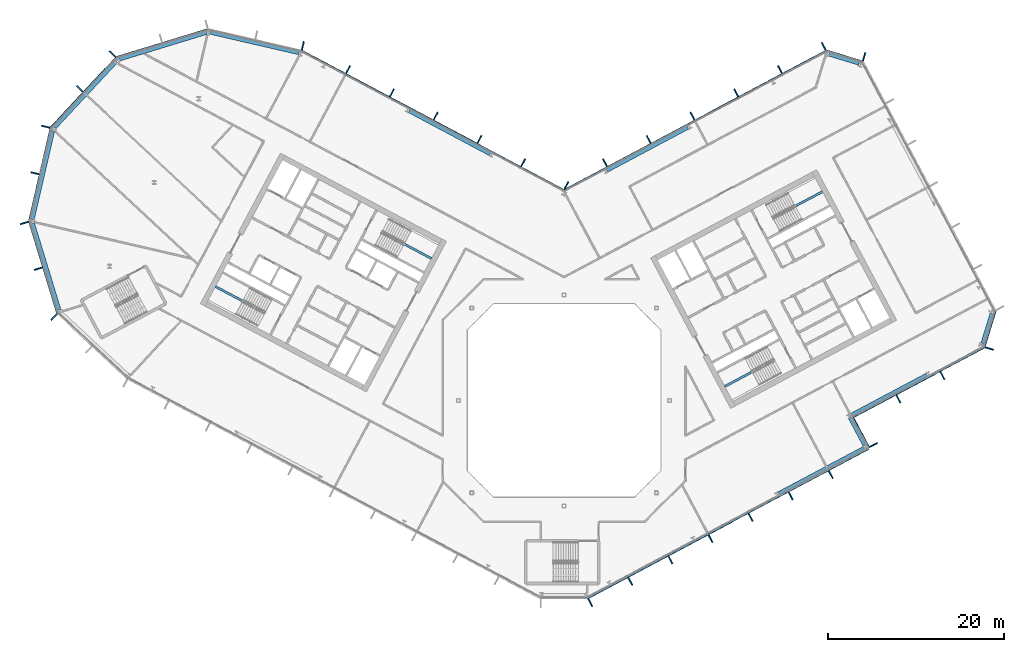
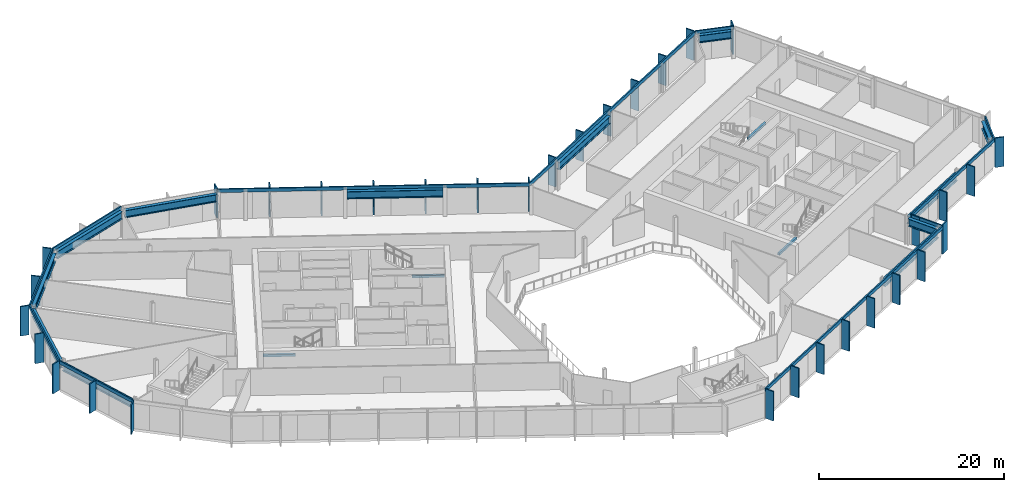
# One storey, part 9 of 26: 44 members, 16 beams, 13 elements without a shape of their own.
"""IFC4 building model written with IfcOpenShell, lengths in metres."""

from ifc_helpers import new_model, si_unit, direction, frame, origin, origin_2d, place, context, subcontext, project, spatial, rectangle, i_section, extrude, material, layer, layer_set, material_profile, profile_set, type_object, element, aggregate, save


model = new_model("IFC4")

# Units and contexts
model_context = context("Model", 3, precision=1e-05, world=origin(), true_north=direction((0.0, 1.0)))
body_context = subcontext(model_context, "Body", "Model", "MODEL_VIEW")
ifc_project = project(units=[si_unit("LENGTHUNIT", "METRE"), si_unit("AREAUNIT", "SQUARE_METRE"), si_unit("VOLUMEUNIT", "CUBIC_METRE"), si_unit("PLANEANGLEUNIT", "RADIAN"), si_unit("MASSUNIT", "GRAM", prefix="KILO")], contexts=[model_context])

# Site, building, storey
site_placement = place(None, origin())
site = spatial("IfcSite", under=ifc_project, at=site_placement, CompositionType="ELEMENT")
building_placement = place(site_placement, origin())
building = spatial("IfcBuilding", under=site, at=building_placement, Name="Cormorant Relay Tower", CompositionType="ELEMENT")
storey_placement = place(building_placement, frame((0.0, 0.0, 193.5)))
storey = spatial("IfcBuildingStorey", under=building, at=storey_placement, Name="L41", CompositionType="ELEMENT", Elevation=193.5)

# Curtain wall, members
ifc_material_1 = material(Name="Aluminium 6063-T6 anodised bronze", Category="aluminium")
ifc_layer = layer(ifc_material_1, 0.199951171875)
ifc_layer_set = layer_set([ifc_layer], Name="CW1 unitised bronze curtain wall with vertical fins")
curtain_wall_type = type_object("IfcCurtainWallType", Name="CW1 unitised bronze curtain wall with vertical fins", PredefinedType="NOTDEFINED", material=ifc_layer_set)
curtain_wall_1_placement = place(storey_placement, origin())
curtain_wall_1 = element("IfcCurtainWall", 1, at=curtain_wall_1_placement, inside=storey, type_object=curtain_wall_type, Name="CW1 curtain wall 2", PredefinedType="NOTDEFINED")
ifc_material_2 = material(Name="Aluminium 6063-T6 anodised bronze", Category="aluminium")
ifc_material_profile_1 = material_profile(ifc_material_2, rectangle(XDim=0.14990234375, YDim=1.0, at=origin_2d()), Name="AL 150x1000")
ifc_profile_set_1 = profile_set([ifc_material_profile_1], Name="Aluminium 6063-T6 anodised bronze")
member_type_1 = type_object("IfcMemberType", Name="CW1 bronze fin mullion 150 x 1000", PredefinedType="MULLION", material=ifc_profile_set_1)
member_1_placement = place(storey_placement, frame((2.9775390625, -22.99365234375, 0.0), z_axis=(0.0, 0.0, 1.0), x_axis=(0.882947592859, 0.469471562786, 0.0)))
member_1 = element("IfcMember", 2, at=member_1_placement, type_object=member_type_1, Name="CW1 fin 2.1", PredefinedType="MULLION", context=body_context, shape_type="SweptSolid", body=[
    extrude(rectangle(XDim=0.14990234375, YDim=1.0, at=origin_2d()), origin(), (0.0, 0.0, 1.0), 3.89990234375),
])
member_2_placement = place(storey_placement, frame((7.539306640625, -20.568115234375, 0.0), z_axis=(0.0, 0.0, 1.0), x_axis=(0.882947592859, 0.469471562786, 0.0)))
member_2 = element("IfcMember", 3, at=member_2_placement, type_object=member_type_1, Name="CW1 fin 2.2", PredefinedType="MULLION", context=body_context, shape_type="SweptSolid", body=[
    extrude(rectangle(XDim=0.14990234375, YDim=1.0, at=origin_2d()), origin(), (0.0, 0.0, 1.0), 3.89990234375),
])
member_3_placement = place(storey_placement, frame((12.10107421875, -18.142578125, 0.0), z_axis=(0.0, 0.0, 1.0), x_axis=(0.882947592859, 0.469471562786, 0.0)))
member_3 = element("IfcMember", 4, at=member_3_placement, type_object=member_type_1, Name="CW1 fin 2.3", PredefinedType="MULLION", context=body_context, shape_type="SweptSolid", body=[
    extrude(rectangle(XDim=0.14990234375, YDim=1.0, at=origin_2d()), origin(), (0.0, 0.0, 1.0), 3.89990234375),
])
member_4_placement = place(storey_placement, frame((16.662841796875, -15.717041015625, 0.0), z_axis=(0.0, 0.0, 1.0), x_axis=(0.882947592859, 0.469471562786, 0.0)))
member_4 = element("IfcMember", 5, at=member_4_placement, type_object=member_type_1, Name="CW1 fin 2.4", PredefinedType="MULLION", context=body_context, shape_type="SweptSolid", body=[
    extrude(rectangle(XDim=0.14990234375, YDim=1.0, at=origin_2d()), origin(), (0.0, 0.0, 1.0), 3.89990234375),
])
member_5_placement = place(storey_placement, frame((21.224609375, -13.29150390625, 0.0), z_axis=(0.0, 0.0, 1.0), x_axis=(0.882947592859, 0.469471562786, 0.0)))
member_5 = element("IfcMember", 6, at=member_5_placement, type_object=member_type_1, Name="CW1 fin 2.5", PredefinedType="MULLION", context=body_context, shape_type="SweptSolid", body=[
    extrude(rectangle(XDim=0.14990234375, YDim=1.0, at=origin_2d()), origin(), (0.0, 0.0, 1.0), 3.89990234375),
])
member_6_placement = place(storey_placement, frame((25.78662109375, -10.865966796875, 0.0), z_axis=(0.0, 0.0, 1.0), x_axis=(0.882947592859, 0.469471562786, 0.0)))
member_6 = element("IfcMember", 7, at=member_6_placement, type_object=member_type_1, Name="CW1 fin 2.6", PredefinedType="MULLION", context=body_context, shape_type="SweptSolid", body=[
    extrude(rectangle(XDim=0.14990234375, YDim=1.0, at=origin_2d()), origin(), (0.0, 0.0, 1.0), 3.89990234375),
])
member_7_placement = place(storey_placement, frame((30.348388671875, -8.440185546875, 0.0), z_axis=(0.0, 0.0, 1.0), x_axis=(0.882947592859, 0.469471562786, 0.0)))
member_7 = element("IfcMember", 8, at=member_7_placement, type_object=member_type_1, Name="CW1 fin 2.7", PredefinedType="MULLION", context=body_context, shape_type="SweptSolid", body=[
    extrude(rectangle(XDim=0.14990234375, YDim=1.0, at=origin_2d()), origin(), (0.0, 0.0, 1.0), 3.89990234375),
])

# Curtain wall, member
curtain_wall_2_placement = place(storey_placement, origin())
curtain_wall_2 = element("IfcCurtainWall", 9, at=curtain_wall_2_placement, inside=storey, type_object=curtain_wall_type, Name="CW1 curtain wall 3", PredefinedType="NOTDEFINED")
member_8_placement = place(storey_placement, frame((35.199462890625, -5.068115234375, 0.0), z_axis=(0.0, 0.0, 1.0), x_axis=(-0.469471562786, 0.882947592859, 0.0)))
member_8 = element("IfcMember", 10, at=member_8_placement, type_object=member_type_1, Name="CW1 fin 3.1", PredefinedType="MULLION", context=body_context, shape_type="SweptSolid", body=[
    extrude(rectangle(XDim=0.14990234375, YDim=1.0, at=origin_2d()), origin(), (0.0, 0.0, 1.0), 3.89990234375),
])

# Curtain wall, members
curtain_wall_3_placement = place(storey_placement, origin())
curtain_wall_3 = element("IfcCurtainWall", 11, at=curtain_wall_3_placement, inside=storey, type_object=curtain_wall_type, Name="CW1 curtain wall 4", PredefinedType="NOTDEFINED")
member_9_placement = place(storey_placement, frame((33.098388671875, -2.44775390625, 0.0), z_axis=(0.0, 0.0, 1.0), x_axis=(0.882947592859, 0.469471562786, 0.0)))
member_9 = element("IfcMember", 12, at=member_9_placement, type_object=member_type_1, Name="CW1 fin 4.1", PredefinedType="MULLION", context=body_context, shape_type="SweptSolid", body=[
    extrude(rectangle(XDim=0.14990234375, YDim=1.0, at=origin_2d()), origin(), (0.0, 0.0, 1.0), 3.89990234375),
])
member_10_placement = place(storey_placement, frame((38.035400390625, 0.177490234375, 0.0), z_axis=(0.0, 0.0, 1.0), x_axis=(0.882947592859, 0.469471562786, 0.0)))
member_10 = element("IfcMember", 13, at=member_10_placement, type_object=member_type_1, Name="CW1 fin 4.2", PredefinedType="MULLION", context=body_context, shape_type="SweptSolid", body=[
    extrude(rectangle(XDim=0.14990234375, YDim=1.0, at=origin_2d()), origin(), (0.0, 0.0, 1.0), 3.89990234375),
])
member_11_placement = place(storey_placement, frame((43.038818359375, 2.837646484375, 0.0), z_axis=(0.0, 0.0, 1.0), x_axis=(0.882947592859, 0.469471562786, 0.0)))
member_11 = element("IfcMember", 14, at=member_11_placement, type_object=member_type_1, Name="CW1 fin 4.3", PredefinedType="MULLION", context=body_context, shape_type="SweptSolid", body=[
    extrude(rectangle(XDim=0.14990234375, YDim=1.0, at=origin_2d()), origin(), (0.0, 0.0, 1.0), 3.89990234375),
])

# Curtain wall, member
curtain_wall_4_placement = place(storey_placement, origin())
curtain_wall_4 = element("IfcCurtainWall", 15, at=curtain_wall_4_placement, inside=storey, type_object=curtain_wall_type, Name="CW1 curtain wall 5", PredefinedType="NOTDEFINED")
member_12_placement = place(storey_placement, frame((48.383056640625, 5.91162109375, 0.0), z_axis=(0.0, 0.0, 1.0), x_axis=(0.292371704723, 0.956304755963, 0.0)))
member_12 = element("IfcMember", 16, at=member_12_placement, type_object=member_type_1, Name="CW1 fin 5.1", PredefinedType="MULLION", context=body_context, shape_type="SweptSolid", body=[
    extrude(rectangle(XDim=0.14990234375, YDim=1.0, at=origin_2d()), origin(), (0.0, 0.0, 1.0), 3.89990234375),
])

curtain_wall_5_placement = place(storey_placement, origin())
curtain_wall_5 = element("IfcCurtainWall", 17, at=curtain_wall_5_placement, inside=storey, type_object=curtain_wall_type, Name="CW1 curtain wall 7", PredefinedType="NOTDEFINED")
member_13_placement = place(storey_placement, frame((34.1357421875, 39.09716796875, 0.0), z_axis=(0.0, 0.0, 1.0), x_axis=(-0.956304755963, 0.292371704723, 0.0)))
member_13 = element("IfcMember", 18, at=member_13_placement, type_object=member_type_1, Name="CW1 fin 7.1", PredefinedType="MULLION", context=body_context, shape_type="SweptSolid", body=[
    extrude(rectangle(XDim=0.14990234375, YDim=1.0, at=origin_2d()), origin(), (0.0, 0.0, 1.0), 3.89990234375),
])

# Curtain wall, members
curtain_wall_6_placement = place(storey_placement, origin())
curtain_wall_6 = element("IfcCurtainWall", 19, at=curtain_wall_6_placement, inside=storey, type_object=curtain_wall_type, Name="CW1 curtain wall 8", PredefinedType="NOTDEFINED")
member_14_placement = place(storey_placement, frame((29.545166015625, 40.2861328125, 0.0), z_axis=(0.0, 0.0, 1.0), x_axis=(-0.882947592859, -0.469471562786, 0.0)))
member_14 = element("IfcMember", 20, at=member_14_placement, type_object=member_type_1, Name="CW1 fin 8.1", PredefinedType="MULLION", context=body_context, shape_type="SweptSolid", body=[
    extrude(rectangle(XDim=0.14990234375, YDim=1.0, at=origin_2d()), origin(), (0.0, 0.0, 1.0), 3.89990234375),
])
member_15_placement = place(storey_placement, frame((24.566162109375, 37.638916015625, 0.0), z_axis=(0.0, 0.0, 1.0), x_axis=(-0.882947592859, -0.469471562786, 0.0)))
member_15 = element("IfcMember", 21, at=member_15_placement, type_object=member_type_1, Name="CW1 fin 8.2", PredefinedType="MULLION", context=body_context, shape_type="SweptSolid", body=[
    extrude(rectangle(XDim=0.14990234375, YDim=1.0, at=origin_2d()), origin(), (0.0, 0.0, 1.0), 3.89990234375),
])
member_16_placement = place(storey_placement, frame((19.587158203125, 34.991455078125, 0.0), z_axis=(0.0, 0.0, 1.0), x_axis=(-0.882947592859, -0.469471562786, 0.0)))
member_16 = element("IfcMember", 22, at=member_16_placement, type_object=member_type_1, Name="CW1 fin 8.3", PredefinedType="MULLION", context=body_context, shape_type="SweptSolid", body=[
    extrude(rectangle(XDim=0.14990234375, YDim=1.0, at=origin_2d()), origin(), (0.0, 0.0, 1.0), 3.89990234375),
])
member_17_placement = place(storey_placement, frame((14.608154296875, 32.343994140625, 0.0), z_axis=(0.0, 0.0, 1.0), x_axis=(-0.882947592859, -0.469471562786, 0.0)))
member_17 = element("IfcMember", 23, at=member_17_placement, type_object=member_type_1, Name="CW1 fin 8.4", PredefinedType="MULLION", context=body_context, shape_type="SweptSolid", body=[
    extrude(rectangle(XDim=0.14990234375, YDim=1.0, at=origin_2d()), origin(), (0.0, 0.0, 1.0), 3.89990234375),
])
member_18_placement = place(storey_placement, frame((9.62939453125, 29.69677734375, 0.0), z_axis=(0.0, 0.0, 1.0), x_axis=(-0.882947592859, -0.469471562786, 0.0)))
member_18 = element("IfcMember", 24, at=member_18_placement, type_object=member_type_1, Name="CW1 fin 8.5", PredefinedType="MULLION", context=body_context, shape_type="SweptSolid", body=[
    extrude(rectangle(XDim=0.14990234375, YDim=1.0, at=origin_2d()), origin(), (0.0, 0.0, 1.0), 3.89990234375),
])
member_19_placement = place(storey_placement, frame((4.650390625, 27.04931640625, 0.0), z_axis=(0.0, 0.0, 1.0), x_axis=(-0.882947592859, -0.469471562786, 0.0)))
member_19 = element("IfcMember", 25, at=member_19_placement, type_object=member_type_1, Name="CW1 fin 8.6", PredefinedType="MULLION", context=body_context, shape_type="SweptSolid", body=[
    extrude(rectangle(XDim=0.14990234375, YDim=1.0, at=origin_2d()), origin(), (0.0, 0.0, 1.0), 3.89990234375),
])

curtain_wall_7_placement = place(storey_placement, origin())
curtain_wall_7 = element("IfcCurtainWall", 26, at=curtain_wall_7_placement, inside=storey, type_object=curtain_wall_type, Name="CW1 curtain wall 9", PredefinedType="NOTDEFINED")
member_20_placement = place(storey_placement, frame((0.262451171875, 24.437255859375, 0.0), z_axis=(0.0, 0.0, 1.0), x_axis=(-0.882947592859, 0.469471562786, 0.0)))
member_20 = element("IfcMember", 27, at=member_20_placement, type_object=member_type_1, Name="CW1 fin 9.1", PredefinedType="MULLION", context=body_context, shape_type="SweptSolid", body=[
    extrude(rectangle(XDim=0.14990234375, YDim=1.0, at=origin_2d()), origin(), (0.0, 0.0, 1.0), 3.89990234375),
])
member_21_placement = place(storey_placement, frame((-4.650390625, 27.04931640625, 0.0), z_axis=(0.0, 0.0, 1.0), x_axis=(-0.882947592859, 0.469471562786, 0.0)))
member_21 = element("IfcMember", 28, at=member_21_placement, type_object=member_type_1, Name="CW1 fin 9.2", PredefinedType="MULLION", context=body_context, shape_type="SweptSolid", body=[
    extrude(rectangle(XDim=0.14990234375, YDim=1.0, at=origin_2d()), origin(), (0.0, 0.0, 1.0), 3.89990234375),
])
member_22_placement = place(storey_placement, frame((-9.62939453125, 29.69677734375, 0.0), z_axis=(0.0, 0.0, 1.0), x_axis=(-0.882947592859, 0.469471562786, 0.0)))
member_22 = element("IfcMember", 29, at=member_22_placement, type_object=member_type_1, Name="CW1 fin 9.3", PredefinedType="MULLION", context=body_context, shape_type="SweptSolid", body=[
    extrude(rectangle(XDim=0.14990234375, YDim=1.0, at=origin_2d()), origin(), (0.0, 0.0, 1.0), 3.89990234375),
])
member_23_placement = place(storey_placement, frame((-14.608154296875, 32.343994140625, 0.0), z_axis=(0.0, 0.0, 1.0), x_axis=(-0.882947592859, 0.469471562786, 0.0)))
member_23 = element("IfcMember", 30, at=member_23_placement, type_object=member_type_1, Name="CW1 fin 9.4", PredefinedType="MULLION", context=body_context, shape_type="SweptSolid", body=[
    extrude(rectangle(XDim=0.14990234375, YDim=1.0, at=origin_2d()), origin(), (0.0, 0.0, 1.0), 3.89990234375),
])
member_24_placement = place(storey_placement, frame((-19.587158203125, 34.991455078125, 0.0), z_axis=(0.0, 0.0, 1.0), x_axis=(-0.882947592859, 0.469471562786, 0.0)))
member_24 = element("IfcMember", 31, at=member_24_placement, type_object=member_type_1, Name="CW1 fin 9.5", PredefinedType="MULLION", context=body_context, shape_type="SweptSolid", body=[
    extrude(rectangle(XDim=0.14990234375, YDim=1.0, at=origin_2d()), origin(), (0.0, 0.0, 1.0), 3.89990234375),
])
member_25_placement = place(storey_placement, frame((-24.566162109375, 37.638916015625, 0.0), z_axis=(0.0, 0.0, 1.0), x_axis=(-0.882947592859, 0.469471562786, 0.0)))
member_25 = element("IfcMember", 32, at=member_25_placement, type_object=member_type_1, Name="CW1 fin 9.6", PredefinedType="MULLION", context=body_context, shape_type="SweptSolid", body=[
    extrude(rectangle(XDim=0.14990234375, YDim=1.0, at=origin_2d()), origin(), (0.0, 0.0, 1.0), 3.89990234375),
])

# Curtain wall, member
curtain_wall_8_placement = place(storey_placement, origin())
curtain_wall_8 = element("IfcCurtainWall", 33, at=curtain_wall_8_placement, inside=storey, type_object=curtain_wall_type, Name="CW1 curtain wall 10", PredefinedType="NOTDEFINED")
member_26_placement = place(storey_placement, frame((-29.71630859375, 40.35009765625, 0.0), z_axis=(0.0, 0.0, 1.0), x_axis=(-0.974370064785, 0.224951054344, 0.0)))
member_26 = element("IfcMember", 34, at=member_26_placement, type_object=member_type_1, Name="CW1 fin 10.1", PredefinedType="MULLION", context=body_context, shape_type="SweptSolid", body=[
    extrude(rectangle(XDim=0.14990234375, YDim=1.0, at=origin_2d()), origin(), (0.0, 0.0, 1.0), 3.89990234375),
])
aggregate(curtain_wall_8, [member_26])

# Curtain wall, members
curtain_wall_9_placement = place(storey_placement, origin())
curtain_wall_9 = element("IfcCurtainWall", 35, at=curtain_wall_9_placement, inside=storey, type_object=curtain_wall_type, Name="CW1 curtain wall 12", PredefinedType="NOTDEFINED")
member_27_placement = place(storey_placement, frame((-51.372802734375, 39.41259765625, 0.0), z_axis=(0.0, 0.0, 1.0), x_axis=(-0.681998360062, -0.731353701619, 0.0)))
member_27 = element("IfcMember", 36, at=member_27_placement, type_object=member_type_1, Name="CW1 fin 12.1", PredefinedType="MULLION", context=body_context, shape_type="SweptSolid", body=[
    extrude(rectangle(XDim=0.14990234375, YDim=1.0, at=origin_2d()), origin(), (0.0, 0.0, 1.0), 3.89990234375),
])
member_28_placement = place(storey_placement, frame((-55.07958984375, 35.4375, 0.0), z_axis=(0.0, 0.0, 1.0), x_axis=(-0.681998360062, -0.731353701619, 0.0)))
member_28 = element("IfcMember", 37, at=member_28_placement, type_object=member_type_1, Name="CW1 fin 12.2", PredefinedType="MULLION", context=body_context, shape_type="SweptSolid", body=[
    extrude(rectangle(XDim=0.14990234375, YDim=1.0, at=origin_2d()), origin(), (0.0, 0.0, 1.0), 3.89990234375),
])

curtain_wall_10_placement = place(storey_placement, origin())
curtain_wall_10 = element("IfcCurtainWall", 38, at=curtain_wall_10_placement, inside=storey, type_object=curtain_wall_type, Name="CW1 curtain wall 13", PredefinedType="NOTDEFINED")
member_29_placement = place(storey_placement, frame((-58.95654296875, 31.142578125, 0.0), z_axis=(0.0, 0.0, 1.0), x_axis=(-0.224951054344, -0.974370064785, 0.0)))
member_29 = element("IfcMember", 39, at=member_29_placement, type_object=member_type_1, Name="CW1 fin 13.1", PredefinedType="MULLION", context=body_context, shape_type="SweptSolid", body=[
    extrude(rectangle(XDim=0.14990234375, YDim=1.0, at=origin_2d()), origin(), (0.0, 0.0, 1.0), 3.89990234375),
])
member_30_placement = place(storey_placement, frame((-60.17919921875, 25.8466796875, 0.0), z_axis=(0.0, 0.0, 1.0), x_axis=(-0.224951054344, -0.974370064785, 0.0)))
member_30 = element("IfcMember", 40, at=member_30_placement, type_object=member_type_1, Name="CW1 fin 13.2", PredefinedType="MULLION", context=body_context, shape_type="SweptSolid", body=[
    extrude(rectangle(XDim=0.14990234375, YDim=1.0, at=origin_2d()), origin(), (0.0, 0.0, 1.0), 3.89990234375),
])

curtain_wall_11_placement = place(storey_placement, origin())
curtain_wall_11 = element("IfcCurtainWall", 41, at=curtain_wall_11_placement, inside=storey, type_object=curtain_wall_type, Name="CW1 curtain wall 14", PredefinedType="NOTDEFINED")
member_31_placement = place(storey_placement, frame((-61.389404296875, 20.188720703125, 0.0), z_axis=(0.0, 0.0, 1.0), x_axis=(0.292371704723, -0.956304755963, 0.0)))
member_31 = element("IfcMember", 42, at=member_31_placement, type_object=member_type_1, Name="CW1 fin 14.1", PredefinedType="MULLION", context=body_context, shape_type="SweptSolid", body=[
    extrude(rectangle(XDim=0.14990234375, YDim=1.0, at=origin_2d()), origin(), (0.0, 0.0, 1.0), 3.89990234375),
])
member_32_placement = place(storey_placement, frame((-59.80029296875, 14.990966796875, 0.0), z_axis=(0.0, 0.0, 1.0), x_axis=(0.292371704723, -0.956304755963, 0.0)))
member_32 = element("IfcMember", 43, at=member_32_placement, type_object=member_type_1, Name="CW1 fin 14.2", PredefinedType="MULLION", context=body_context, shape_type="SweptSolid", body=[
    extrude(rectangle(XDim=0.14990234375, YDim=1.0, at=origin_2d()), origin(), (0.0, 0.0, 1.0), 3.89990234375),
])

# Curtain wall, member
curtain_wall_12_placement = place(storey_placement, origin())
curtain_wall_12 = element("IfcCurtainWall", 44, at=curtain_wall_12_placement, inside=storey, type_object=curtain_wall_type, Name="CW1 curtain wall 15", PredefinedType="NOTDEFINED")
member_33_placement = place(storey_placement, frame((-58.01904296875, 9.486083984375, 0.0), z_axis=(0.0, 0.0, 1.0), x_axis=(0.731353701619, -0.681998360062, 0.0)))
member_33 = element("IfcMember", 45, at=member_33_placement, type_object=member_type_1, Name="CW1 fin 15.1", PredefinedType="MULLION", context=body_context, shape_type="SweptSolid", body=[
    extrude(rectangle(XDim=0.14990234375, YDim=1.0, at=origin_2d()), origin(), (0.0, 0.0, 1.0), 3.89990234375),
])
aggregate(curtain_wall_12, [member_33])

# Member
ifc_material_3 = material(Name="Aluminium 6063-T6 anodised bronze", Category="aluminium")
ifc_material_profile_2 = material_profile(ifc_material_3, rectangle(XDim=0.159912109375, YDim=0.449951171875, at=origin_2d()), Name="AL 160x450")
ifc_profile_set_2 = profile_set([ifc_material_profile_2], Name="Aluminium 6063-T6 anodised bronze")
member_type_2 = type_object("IfcMemberType", Name="CW1 bronze transom 160 x 450", PredefinedType="USERDEFINED", material=ifc_profile_set_2)
member_34_placement = place(storey_placement, frame((2.705078125, -22.4814453125, 3.675048828125), z_axis=(0.882948899141, 0.469469106018, 0.0), x_axis=(-0.469469106018, 0.882948899141, 0.0)))
member_34 = element("IfcMember", 46, at=member_34_placement, type_object=member_type_2, Name="CW1 transom 2", ObjectType="TRANSOM", PredefinedType="USERDEFINED", context=body_context, shape_type="SweptSolid", body=[
    extrude(rectangle(XDim=0.159912109375, YDim=0.449951171875, at=origin_2d()), origin(), (0.0, 0.0, 1.0), 36.165771484375),
])

aggregate(curtain_wall_1, [member_1, member_2, member_3, member_4, member_5, member_6, member_7, member_34])

member_35_placement = place(storey_placement, frame((34.6875, -5.34033203125, 3.675048828125), z_axis=(-0.469485426614, 0.882940221191, 0.0), x_axis=(-0.882940221191, -0.469485426614, 0.0)))
member_35 = element("IfcMember", 47, at=member_35_placement, type_object=member_type_2, Name="CW1 transom 3", ObjectType="TRANSOM", PredefinedType="USERDEFINED", context=body_context, shape_type="SweptSolid", body=[
    extrude(rectangle(XDim=0.159912109375, YDim=0.449951171875, at=origin_2d()), origin(), (0.0, 0.0, 1.0), 4.0),
])

aggregate(curtain_wall_2, [member_8, member_35])

member_36_placement = place(storey_placement, frame((32.760009765625, -1.970947265625, 3.675048828125), z_axis=(0.882941803911, 0.469482450052, 0.0), x_axis=(-0.469482450052, 0.882941803911, 0.0)))
member_36 = element("IfcMember", 48, at=member_36_placement, type_object=member_type_2, Name="CW1 transom 4", ObjectType="TRANSOM", PredefinedType="USERDEFINED", context=body_context, shape_type="SweptSolid", body=[
    extrude(rectangle(XDim=0.159912109375, YDim=0.449951171875, at=origin_2d()), origin(), (0.0, 0.0, 1.0), 17.0),
])

aggregate(curtain_wall_3, [member_9, member_10, member_11, member_36])

member_37_placement = place(storey_placement, frame((47.828369140625, 6.0810546875, 3.675048828125), z_axis=(0.292391046905, 0.95629884225, 0.0), x_axis=(-0.95629884225, 0.292391046905, 0.0)))
member_37 = element("IfcMember", 49, at=member_37_placement, type_object=member_type_2, Name="CW1 transom 5", ObjectType="TRANSOM", PredefinedType="USERDEFINED", context=body_context, shape_type="SweptSolid", body=[
    extrude(rectangle(XDim=0.159912109375, YDim=0.449951171875, at=origin_2d()), origin(), (0.0, 0.0, 1.0), 4.242431640625),
])

aggregate(curtain_wall_4, [member_12, member_37])

member_38_placement = place(storey_placement, frame((33.966064453125, 38.54248046875, 3.675048828125), z_axis=(-0.956303761594, 0.292374957137, 0.0), x_axis=(-0.292374957137, -0.956303761594, 0.0)))
member_38 = element("IfcMember", 50, at=member_38_placement, type_object=member_type_2, Name="CW1 transom 7", ObjectType="TRANSOM", PredefinedType="USERDEFINED", context=body_context, shape_type="SweptSolid", body=[
    extrude(rectangle(XDim=0.159912109375, YDim=0.449951171875, at=origin_2d()), origin(), (0.0, 0.0, 1.0), 4.24267578125),
])

aggregate(curtain_wall_5, [member_13, member_38])

member_39_placement = place(storey_placement, frame((29.8173828125, 39.774169921875, 3.675048828125), z_axis=(-0.882946280328, -0.46947403129, 0.0), x_axis=(0.46947403129, -0.882946280328, 0.0)))
member_39 = element("IfcMember", 51, at=member_39_placement, type_object=member_type_2, Name="CW1 transom 8", ObjectType="TRANSOM", PredefinedType="USERDEFINED", context=body_context, shape_type="SweptSolid", body=[
    extrude(rectangle(XDim=0.159912109375, YDim=0.449951171875, at=origin_2d()), origin(), (0.0, 0.0, 1.0), 33.834228515625),
])

aggregate(curtain_wall_6, [member_14, member_15, member_16, member_17, member_18, member_19, member_39])

member_40_placement = place(storey_placement, frame((0.056396484375, 23.889892578125, 3.675048828125), z_axis=(-0.882946280328, 0.46947403129, 0.0), x_axis=(-0.46947403129, -0.882946280328, 0.0)))
member_40 = element("IfcMember", 52, at=member_40_placement, type_object=member_type_2, Name="CW1 transom 9", ObjectType="TRANSOM", PredefinedType="USERDEFINED", context=body_context, shape_type="SweptSolid", body=[
    extrude(rectangle(XDim=0.159912109375, YDim=0.449951171875, at=origin_2d()), origin(), (0.0, 0.0, 1.0), 33.834228515625),
])

aggregate(curtain_wall_7, [member_20, member_21, member_22, member_23, member_24, member_25, member_40])

# Curtain wall, member
curtain_wall_13_placement = place(storey_placement, origin())
curtain_wall_13 = element("IfcCurtainWall", 53, at=curtain_wall_13_placement, inside=storey, type_object=curtain_wall_type, Name="CW1 curtain wall 11", PredefinedType="NOTDEFINED")
member_41_placement = place(storey_placement, frame((-40.50048828125, 42.228271484375, 3.675048828125), z_axis=(-0.956304833932, -0.292371449698, 0.0), x_axis=(0.292371449698, -0.956304833932, 0.0)))
member_41 = element("IfcMember", 54, at=member_41_placement, type_object=member_type_2, Name="CW1 transom 11", ObjectType="TRANSOM", PredefinedType="USERDEFINED", context=body_context, shape_type="SweptSolid", body=[
    extrude(rectangle(XDim=0.159912109375, YDim=0.449951171875, at=origin_2d()), origin(), (0.0, 0.0, 1.0), 10.87060546875),
])
aggregate(curtain_wall_13, [member_41])

# Member
member_42_placement = place(storey_placement, frame((-50.94873046875, 39.01708984375, 3.675048828125), z_axis=(-0.681993299437, -0.731358420696, 0.0), x_axis=(0.731358420696, -0.681993299437, 0.0)))
member_42 = element("IfcMember", 55, at=member_42_placement, type_object=member_type_2, Name="CW1 transom 12", ObjectType="TRANSOM", PredefinedType="USERDEFINED", context=body_context, shape_type="SweptSolid", body=[
    extrude(rectangle(XDim=0.159912109375, YDim=0.449951171875, at=origin_2d()), origin(), (0.0, 0.0, 1.0), 10.870361328125),
])

aggregate(curtain_wall_9, [member_27, member_28, member_42])

member_43_placement = place(storey_placement, frame((-58.3916015625, 31.01220703125, 3.675048828125), z_axis=(-0.22495136131, -0.974369993916, 0.0), x_axis=(0.974369993916, -0.22495136131, 0.0)))
member_43 = element("IfcMember", 56, at=member_43_placement, type_object=member_type_2, Name="CW1 transom 13", ObjectType="TRANSOM", PredefinedType="USERDEFINED", context=body_context, shape_type="SweptSolid", body=[
    extrude(rectangle(XDim=0.159912109375, YDim=0.449951171875, at=origin_2d()), origin(), (0.0, 0.0, 1.0), 10.870361328125),
])

aggregate(curtain_wall_10, [member_29, member_30, member_43])

member_44_placement = place(storey_placement, frame((-60.834716796875, 20.358154296875, 3.675048828125), z_axis=(0.292377729282, -0.95630291405, 0.0), x_axis=(0.95630291405, 0.292377729282, 0.0)))
member_44 = element("IfcMember", 57, at=member_44_placement, type_object=member_type_2, Name="CW1 transom 14", ObjectType="TRANSOM", PredefinedType="USERDEFINED", context=body_context, shape_type="SweptSolid", body=[
    extrude(rectangle(XDim=0.159912109375, YDim=0.449951171875, at=origin_2d()), origin(), (0.0, 0.0, 1.0), 10.870361328125),
])

aggregate(curtain_wall_11, [member_31, member_32, member_44])

# Beams
ifc_material_4 = material(Name="Steel ASTM A992 (Fy 345 MPa)", Category="steel")
ifc_material_profile_3 = material_profile(ifc_material_4, i_section(OverallWidth=0.4013671875, OverallDepth=0.990478515625, WebThickness=0.0166015625, FlangeThickness=0.031005859375, FilletRadius=0.030029296875, at=origin_2d()), Name="W1000x320")
ifc_profile_set_3 = profile_set([ifc_material_profile_3], Name="Steel ASTM A992 (Fy 345 MPa)")
beam_type_1 = type_object("IfcBeamType", Name="Spandrel W1000x320", PredefinedType="SPANDREL", material=ifc_profile_set_3)
beam_1_placement = place(storey_placement, frame((24.423583984375, -10.5703125, 3.044677734375), z_axis=(0.882952735253, 0.469461891221, 0.0), x_axis=(-0.469461891221, 0.882952735253, 0.0)))
element("IfcBeam", 58, at=beam_1_placement, inside=storey, type_object=beam_type_1, Name="Spandrel beam L41-002", PredefinedType="SPANDREL", context=body_context, shape_type="SweptSolid", body=[
    extrude(i_section(OverallWidth=0.4013671875, OverallDepth=0.990478515625, WebThickness=0.0166015625, FlangeThickness=0.031005859375, FilletRadius=0.030029296875, at=origin_2d()), origin(), (0.0, 0.0, 1.0), 10.96142578125),
])
beam_2_placement = place(storey_placement, frame((34.20458984375, -5.115478515625, 3.044677734375), z_axis=(-0.469423552529, 0.882973118691, 0.0), x_axis=(-0.882973118691, -0.469423552529, 0.0)))
element("IfcBeam", 59, at=beam_2_placement, inside=storey, type_object=beam_type_1, Name="Spandrel beam L41-003", PredefinedType="SPANDREL", context=body_context, shape_type="SweptSolid", body=[
    extrude(i_section(OverallWidth=0.4013671875, OverallDepth=0.990478515625, WebThickness=0.0166015625, FlangeThickness=0.031005859375, FilletRadius=0.030029296875, at=origin_2d()), origin(), (0.0, 0.0, 1.0), 3.56982421875),
])
beam_3_placement = place(storey_placement, frame((32.609375, -1.687744140625, 3.044677734375), z_axis=(0.882948215634, 0.469470391515, 0.0), x_axis=(-0.469470391515, 0.882948215634, 0.0)))
element("IfcBeam", 60, at=beam_3_placement, inside=storey, type_object=beam_type_1, Name="Spandrel beam L41-004", PredefinedType="SPANDREL", context=body_context, shape_type="SweptSolid", body=[
    extrude(i_section(OverallWidth=0.4013671875, OverallDepth=0.990478515625, WebThickness=0.0166015625, FlangeThickness=0.031005859375, FilletRadius=0.030029296875, at=origin_2d()), origin(), (0.0, 0.0, 1.0), 9.79736328125),
])
for number, where, z_axis, x_axis, name in (
    (61, (47.618896484375, 6.4921875, 3.044677734375), (0.292349563537, 0.956311524923, 0.0), (-0.956311524923, 0.292349563537, 0.0), "Spandrel beam L41-005"),
    (62, (33.5546875, 38.3330078125, 3.044677734375), (-0.956311524923, 0.292349563537, 0.0), (-0.292349563537, -0.956311524923, 0.0), "Spandrel beam L41-007"),
):
    element("IfcBeam", number, at=place(storey_placement, frame(where, z_axis=z_axis, x_axis=x_axis)), inside=storey, type_object=beam_type_1, Name=name, PredefinedType="SPANDREL", context=body_context, shape_type="SweptSolid", body=[
        extrude(i_section(OverallWidth=0.4013671875, OverallDepth=0.990478515625, WebThickness=0.0166015625, FlangeThickness=0.031005859375, FilletRadius=0.030029296875, at=origin_2d()), origin(), (0.0, 0.0, 1.0), 3.59765625),
    ])
for number, where, z_axis, x_axis, name in (
    (63, (14.0732421875, 31.03955078125, 3.044677734375), (-0.882949648898, -0.469467695918, 0.0), (0.469467695918, -0.882949648898, 0.0), "Spandrel beam L41-008"),
    (64, (-8.426025390625, 28.036865234375, 3.044677734375), (-0.882949648898, 0.469467695918, 0.0), (-0.469467695918, -0.882949648898, 0.0), "Spandrel beam L41-009"),
):
    element("IfcBeam", number, at=place(storey_placement, frame(where, z_axis=z_axis, x_axis=x_axis)), inside=storey, type_object=beam_type_1, Name=name, PredefinedType="SPANDREL", context=body_context, shape_type="SweptSolid", body=[
        extrude(i_section(OverallWidth=0.4013671875, OverallDepth=0.990478515625, WebThickness=0.0166015625, FlangeThickness=0.031005859375, FilletRadius=0.030029296875, at=origin_2d()), origin(), (0.0, 0.0, 1.0), 10.39599609375),
    ])
beam_4_placement = place(storey_placement, frame((-30.1533203125, 39.526611328125, 3.044677734375), z_axis=(-0.97436619016, 0.22496783653, 0.0), x_axis=(-0.22496783653, -0.97436619016, 0.0)))
element("IfcBeam", 65, at=beam_4_placement, inside=storey, type_object=beam_type_1, Name="Spandrel beam L41-010", PredefinedType="SPANDREL", context=body_context, shape_type="SweptSolid", body=[
    extrude(i_section(OverallWidth=0.4013671875, OverallDepth=0.990478515625, WebThickness=0.0166015625, FlangeThickness=0.031005859375, FilletRadius=0.030029296875, at=origin_2d()), origin(), (0.0, 0.0, 1.0), 10.369384765625),
])
beam_5_placement = place(storey_placement, frame((-40.680419921875, 41.837890625, 3.044677734375), z_axis=(-0.956303094801, -0.292377138084, 0.0), x_axis=(0.292377138084, -0.956303094801, 0.0)))
element("IfcBeam", 66, at=beam_5_placement, inside=storey, type_object=beam_type_1, Name="Spandrel beam L41-011", PredefinedType="SPANDREL", context=body_context, shape_type="SweptSolid", body=[
    extrude(i_section(OverallWidth=0.4013671875, OverallDepth=0.990478515625, WebThickness=0.0166015625, FlangeThickness=0.031005859375, FilletRadius=0.030029296875, at=origin_2d()), origin(), (0.0, 0.0, 1.0), 10.32421875),
])
beam_6_placement = place(storey_placement, frame((-50.90966796875, 38.5888671875, 3.044677734375), z_axis=(-0.681996285296, -0.731355636365, 0.0), x_axis=(0.731355636365, -0.681996285296, 0.0)))
element("IfcBeam", 67, at=beam_6_placement, inside=storey, type_object=beam_type_1, Name="Spandrel beam L41-012", PredefinedType="SPANDREL", context=body_context, shape_type="SweptSolid", body=[
    extrude(i_section(OverallWidth=0.4013671875, OverallDepth=0.990478515625, WebThickness=0.0166015625, FlangeThickness=0.031005859375, FilletRadius=0.030029296875, at=origin_2d()), origin(), (0.0, 0.0, 1.0), 10.32275390625),
])
beam_7_placement = place(storey_placement, frame((-58.143310546875, 30.66162109375, 3.044677734375), z_axis=(-0.224957947919, -0.974368473252, 0.0), x_axis=(0.974368473252, -0.224957947919, 0.0)))
element("IfcBeam", 68, at=beam_7_placement, inside=storey, type_object=beam_type_1, Name="Spandrel beam L41-013", PredefinedType="SPANDREL", context=body_context, shape_type="SweptSolid", body=[
    extrude(i_section(OverallWidth=0.4013671875, OverallDepth=0.990478515625, WebThickness=0.0166015625, FlangeThickness=0.031005859375, FilletRadius=0.030029296875, at=origin_2d()), origin(), (0.0, 0.0, 1.0), 10.32421875),
])
beam_8_placement = place(storey_placement, frame((-60.4443359375, 20.178466796875, 3.044677734375), z_axis=(0.29236873538, -0.956305663777, 0.0), x_axis=(0.956305663777, 0.29236873538, 0.0)))
element("IfcBeam", 69, at=beam_8_placement, inside=storey, type_object=beam_type_1, Name="Spandrel beam L41-014", PredefinedType="SPANDREL", context=body_context, shape_type="SweptSolid", body=[
    extrude(i_section(OverallWidth=0.4013671875, OverallDepth=0.990478515625, WebThickness=0.0166015625, FlangeThickness=0.031005859375, FilletRadius=0.030029296875, at=origin_2d()), origin(), (0.0, 0.0, 1.0), 10.32373046875),
])
ifc_material_5 = material(Name="Concrete 50 MPa", Category="concrete")
ifc_material_profile_4 = material_profile(ifc_material_5, rectangle(XDim=0.25, YDim=0.300048828125, at=origin_2d()), Name="RC 250x300")
ifc_profile_set_4 = profile_set([ifc_material_profile_4], Name="Concrete 50 MPa")
beam_type_2 = type_object("IfcBeamType", Name="Stair landing ledge beam 250x300", PredefinedType="BEAM", material=ifc_profile_set_4)
beam_9_placement = place(storey_placement, frame((-18.219482421875, 17.813720703125, 1.60009765625), z_axis=(0.882950035608, -0.469466968614, 0.0), x_axis=(0.469466968614, 0.882950035608, 0.0)))
element("IfcBeam", 70, at=beam_9_placement, inside=storey, type_object=beam_type_2, Name="A1 landing ledge beam", PredefinedType="BEAM", context=body_context, shape_type="SweptSolid", body=[
    extrude(rectangle(XDim=0.25, YDim=0.300048828125, at=origin_2d()), origin(), (0.0, 0.0, 1.0), 3.5498046875),
])
for number, where, z_axis, x_axis, name in (
    (71, (-36.523193359375, 11.29345703125, 1.60009765625), (-0.88293668587, 0.469492075273, 0.0), (-0.469492075273, -0.88293668587, 0.0), "A2 landing ledge beam"),
    (72, (21.4248046875, 3.265380859375, 1.60009765625), (-0.88296519247, -0.469438461235, 0.0), (0.469438461235, -0.88296519247, 0.0), "B1 landing ledge beam"),
    (73, (26.25439453125, 22.0859375, 1.60009765625), (0.88296519247, 0.469438461235, 0.0), (-0.469438461235, 0.88296519247, 0.0), "B2 landing ledge beam"),
):
    element("IfcBeam", number, at=place(storey_placement, frame(where, z_axis=z_axis, x_axis=x_axis)), inside=storey, type_object=beam_type_2, Name=name, PredefinedType="BEAM", context=body_context, shape_type="SweptSolid", body=[
        extrude(rectangle(XDim=0.25, YDim=0.300048828125, at=origin_2d()), origin(), (0.0, 0.0, 1.0), 3.550048828125),
    ])

save(model, "model.ifc")
